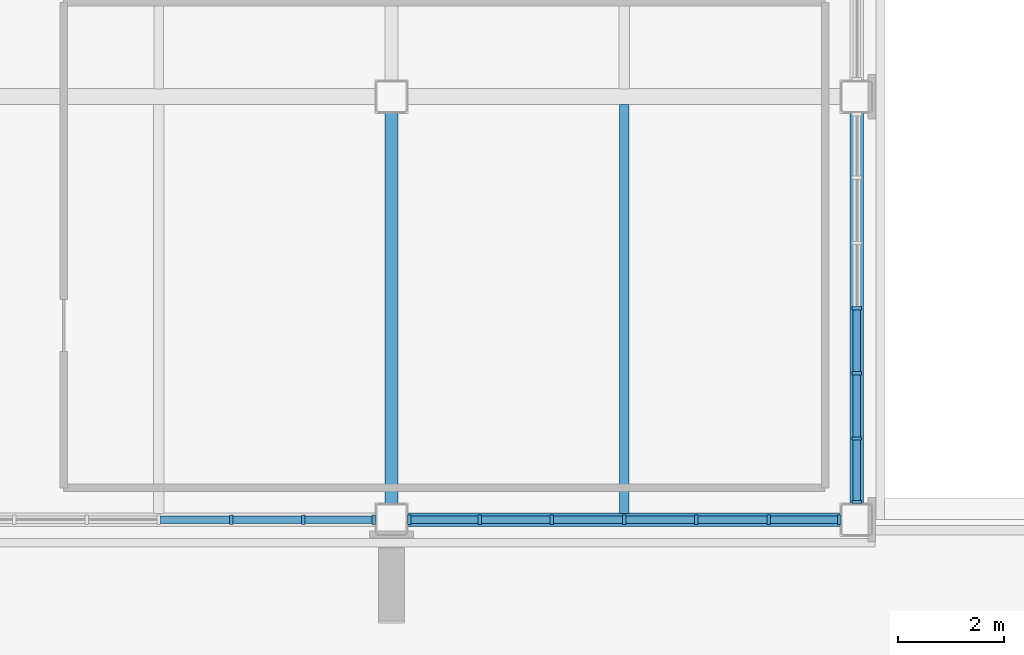
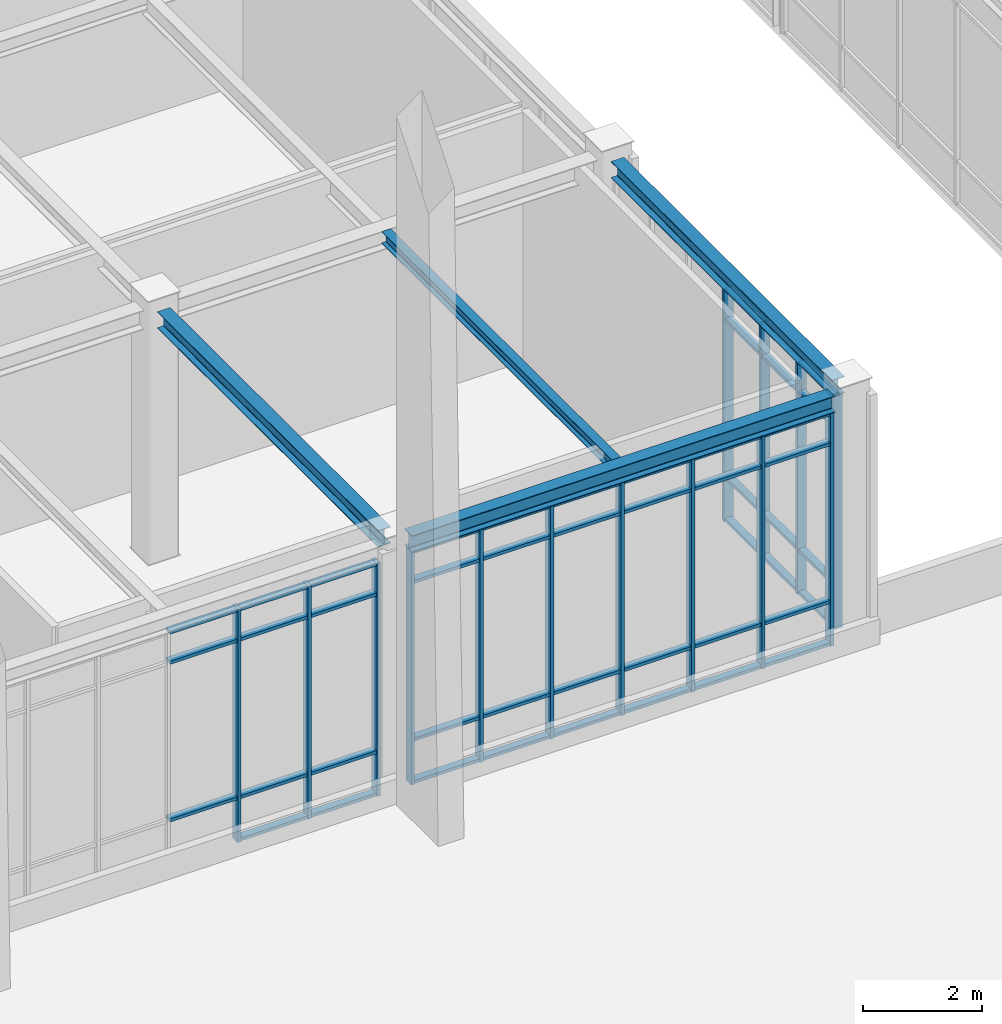
# One storey, part 24 of 108: 61 members, 4 beams, 3 elements without a shape of their own.
"""IFC4 building model written with IfcOpenShell, lengths in metres."""

from ifc_helpers import new_model, si_unit, direction, frame, origin, origin_2d, place, context, subcontext, project, spatial, rectangle, i_section, extrude, material, material_profile, profile_set, type_object, element, aggregate, save


model = new_model("IFC4")

# Units and contexts
model_context = context("Model", 3, precision=1e-05, world=origin(), true_north=direction((0.0, 1.0)))
body_context = subcontext(model_context, "Body", "Model", "MODEL_VIEW")
ifc_project = project(units=[si_unit("LENGTHUNIT", "METRE"), si_unit("AREAUNIT", "SQUARE_METRE"), si_unit("VOLUMEUNIT", "CUBIC_METRE"), si_unit("PLANEANGLEUNIT", "RADIAN"), si_unit("MASSUNIT", "GRAM", prefix="KILO")], contexts=[model_context])

# Site, building, storey
site_placement = place(None, origin())
site = spatial("IfcSite", under=ifc_project, at=site_placement, CompositionType="ELEMENT")
building_placement = place(site_placement, origin())
building = spatial("IfcBuilding", under=site, at=building_placement, Name="Zhaolan Boulevard Law Courts", CompositionType="ELEMENT")
storey_placement = place(building_placement, frame((0.0, 0.0, 10.800048828125)))
storey = spatial("IfcBuildingStorey", under=building, at=storey_placement, Name="L02", CompositionType="ELEMENT", Elevation=10.800048828125)

# Curtain wall, members
ifc_material_1 = material(Name="Thermally broken aluminium and low-E glazing", Category="aluminium")
curtain_wall_type_1 = type_object("IfcCurtainWallType", Name="CURTAIN WALL M10", PredefinedType="USERDEFINED", material=ifc_material_1)
curtain_wall_1_placement = place(storey_placement, origin())
curtain_wall_1 = element("IfcCurtainWall", 1, at=curtain_wall_1_placement, inside=storey, type_object=curtain_wall_type_1, Name="Curtain Wall CW-L02-154", ObjectType="CURTAIN WALL", PredefinedType="USERDEFINED")
ifc_material_2 = material(Name="Fluorocarbon-coated aluminium 6063-T6", Category="aluminium")
ifc_material_profile_1 = material_profile(ifc_material_2, rectangle(XDim=0.179931640625, YDim=0.06494140625, at=origin_2d()), Name="AL65x180")
ifc_profile_set_1 = profile_set([ifc_material_profile_1], Name="Fluorocarbon-coated aluminium 6063-T6")
member_type_1 = type_object("IfcMemberType", Name="CWMULLION 65X180", PredefinedType="MULLION", material=ifc_profile_set_1)
member_1_placement = place(storey_placement, frame((32.166015625, 30.0, 0.0), z_axis=(0.0, 0.0, 1.0), x_axis=(0.0, 1.0, 0.0)))
member_1 = element("IfcMember", 2, at=member_1_placement, type_object=member_type_1, Name="CW-L02-154 mullion 5", PredefinedType="MULLION", context=body_context, shape_type="SweptSolid", body=[
    extrude(rectangle(XDim=0.179931640625, YDim=0.06494140625, at=origin_2d()), origin(), (0.0, 0.0, 1.0), 4.782958984375),
])
member_2_placement = place(storey_placement, frame((33.531982421875, 30.0, 0.0), z_axis=(0.0, 0.0, 1.0), x_axis=(0.0, 1.0, 0.0)))
member_2 = element("IfcMember", 3, at=member_2_placement, type_object=member_type_1, Name="CW-L02-154 mullion 6", PredefinedType="MULLION", context=body_context, shape_type="SweptSolid", body=[
    extrude(rectangle(XDim=0.179931640625, YDim=0.06494140625, at=origin_2d()), origin(), (0.0, 0.0, 1.0), 4.782958984375),
])
member_3_placement = place(storey_placement, frame((34.865478515625, 30.0, 0.0), z_axis=(0.0, 0.0, 1.0), x_axis=(0.0, 1.0, 0.0)))
member_3 = element("IfcMember", 4, at=member_3_placement, type_object=member_type_1, Name="CW-L02-154 mullion 7", PredefinedType="MULLION", context=body_context, shape_type="SweptSolid", body=[
    extrude(rectangle(XDim=0.179931640625, YDim=0.06494140625, at=origin_2d()), origin(), (0.0, 0.0, 1.0), 4.782958984375),
])

ifc_material_3 = material(Name="Thermally broken aluminium and low-E glazing", Category="aluminium")
curtain_wall_type_2 = type_object("IfcCurtainWallType", Name="CURTAIN WALL M11", PredefinedType="USERDEFINED", material=ifc_material_3)
curtain_wall_2_placement = place(storey_placement, origin())
curtain_wall_2 = element("IfcCurtainWall", 5, at=curtain_wall_2_placement, inside=storey, type_object=curtain_wall_type_2, Name="Curtain Wall CW-L02-155", ObjectType="CURTAIN WALL", PredefinedType="USERDEFINED")
member_4_placement = place(storey_placement, frame((35.534423828125, 30.0, 0.0), z_axis=(0.0, 0.0, 1.0), x_axis=(0.0, 1.0, 0.0)))
member_4 = element("IfcMember", 6, at=member_4_placement, type_object=member_type_1, Name="CW-L02-155 mullion 1", PredefinedType="MULLION", context=body_context, shape_type="SweptSolid", body=[
    extrude(rectangle(XDim=0.179931640625, YDim=0.06494140625, at=origin_2d()), origin(), (0.0, 0.0, 1.0), 4.782958984375),
])
member_5_placement = place(storey_placement, frame((36.867919921875, 30.0, 0.0), z_axis=(0.0, 0.0, 1.0), x_axis=(0.0, 1.0, 0.0)))
member_5 = element("IfcMember", 7, at=member_5_placement, type_object=member_type_1, Name="CW-L02-155 mullion 2", PredefinedType="MULLION", context=body_context, shape_type="SweptSolid", body=[
    extrude(rectangle(XDim=0.179931640625, YDim=0.06494140625, at=origin_2d()), origin(), (0.0, 0.0, 1.0), 4.782958984375),
])
member_6_placement = place(storey_placement, frame((38.23388671875, 30.0, 0.0), z_axis=(0.0, 0.0, 1.0), x_axis=(0.0, 1.0, 0.0)))
member_6 = element("IfcMember", 8, at=member_6_placement, type_object=member_type_1, Name="CW-L02-155 mullion 3", PredefinedType="MULLION", context=body_context, shape_type="SweptSolid", body=[
    extrude(rectangle(XDim=0.179931640625, YDim=0.06494140625, at=origin_2d()), origin(), (0.0, 0.0, 1.0), 4.782958984375),
])
member_7_placement = place(storey_placement, frame((39.60009765625, 30.0, 0.0), z_axis=(0.0, 0.0, 1.0), x_axis=(0.0, 1.0, 0.0)))
member_7 = element("IfcMember", 9, at=member_7_placement, type_object=member_type_1, Name="CW-L02-155 mullion 4", PredefinedType="MULLION", context=body_context, shape_type="SweptSolid", body=[
    extrude(rectangle(XDim=0.179931640625, YDim=0.06494140625, at=origin_2d()), origin(), (0.0, 0.0, 1.0), 4.782958984375),
])
member_8_placement = place(storey_placement, frame((40.966064453125, 30.0, 0.0), z_axis=(0.0, 0.0, 1.0), x_axis=(0.0, 1.0, 0.0)))
member_8 = element("IfcMember", 10, at=member_8_placement, type_object=member_type_1, Name="CW-L02-155 mullion 5", PredefinedType="MULLION", context=body_context, shape_type="SweptSolid", body=[
    extrude(rectangle(XDim=0.179931640625, YDim=0.06494140625, at=origin_2d()), origin(), (0.0, 0.0, 1.0), 4.782958984375),
])
member_9_placement = place(storey_placement, frame((42.33203125, 30.0, 0.0), z_axis=(0.0, 0.0, 1.0), x_axis=(0.0, 1.0, 0.0)))
member_9 = element("IfcMember", 11, at=member_9_placement, type_object=member_type_1, Name="CW-L02-155 mullion 6", PredefinedType="MULLION", context=body_context, shape_type="SweptSolid", body=[
    extrude(rectangle(XDim=0.179931640625, YDim=0.06494140625, at=origin_2d()), origin(), (0.0, 0.0, 1.0), 4.782958984375),
])
member_10_placement = place(storey_placement, frame((43.66552734375, 30.0, 0.0), z_axis=(0.0, 0.0, 1.0), x_axis=(0.0, 1.0, 0.0)))
member_10 = element("IfcMember", 12, at=member_10_placement, type_object=member_type_1, Name="CW-L02-155 mullion 7", PredefinedType="MULLION", context=body_context, shape_type="SweptSolid", body=[
    extrude(rectangle(XDim=0.179931640625, YDim=0.06494140625, at=origin_2d()), origin(), (0.0, 0.0, 1.0), 4.782958984375),
])

ifc_material_4 = material(Name="Thermally broken aluminium and low-E glazing", Category="aluminium")
curtain_wall_type_3 = type_object("IfcCurtainWallType", Name="CURTAIN WALL M18", PredefinedType="USERDEFINED", material=ifc_material_4)
curtain_wall_3_placement = place(storey_placement, origin())
curtain_wall_3 = element("IfcCurtainWall", 13, at=curtain_wall_3_placement, inside=storey, type_object=curtain_wall_type_3, Name="Curtain Wall CW-L02-162", ObjectType="CURTAIN WALL", PredefinedType="USERDEFINED")
member_11_placement = place(storey_placement, frame((44.0, 30.33447265625, 0.0), z_axis=(0.0, 0.0, 1.0), x_axis=(-1.0, 0.0, 0.0)))
member_11 = element("IfcMember", 14, at=member_11_placement, type_object=member_type_1, Name="CW-L02-162 mullion 1", PredefinedType="MULLION", context=body_context, shape_type="SweptSolid", body=[
    extrude(rectangle(XDim=0.179931640625, YDim=0.06494140625, at=origin_2d()), origin(), (0.0, 0.0, 1.0), 4.782958984375),
])
member_12_placement = place(storey_placement, frame((44.0, 31.53466796875, 0.0), z_axis=(0.0, 0.0, 1.0), x_axis=(-1.0, 0.0, 0.0)))
member_12 = element("IfcMember", 15, at=member_12_placement, type_object=member_type_1, Name="CW-L02-162 mullion 2", PredefinedType="MULLION", context=body_context, shape_type="SweptSolid", body=[
    extrude(rectangle(XDim=0.179931640625, YDim=0.06494140625, at=origin_2d()), origin(), (0.0, 0.0, 1.0), 4.782958984375),
])
member_13_placement = place(storey_placement, frame((44.0, 32.767333984375, 0.0), z_axis=(0.0, 0.0, 1.0), x_axis=(-1.0, 0.0, 0.0)))
member_13 = element("IfcMember", 16, at=member_13_placement, type_object=member_type_1, Name="CW-L02-162 mullion 3", PredefinedType="MULLION", context=body_context, shape_type="SweptSolid", body=[
    extrude(rectangle(XDim=0.179931640625, YDim=0.06494140625, at=origin_2d()), origin(), (0.0, 0.0, 1.0), 4.782958984375),
])
member_14_placement = place(storey_placement, frame((44.0, 34.0, 0.0), z_axis=(0.0, 0.0, 1.0), x_axis=(-1.0, 0.0, 0.0)))
member_14 = element("IfcMember", 17, at=member_14_placement, type_object=member_type_1, Name="CW-L02-162 mullion 4", PredefinedType="MULLION", context=body_context, shape_type="SweptSolid", body=[
    extrude(rectangle(XDim=0.179931640625, YDim=0.06494140625, at=origin_2d()), origin(), (0.0, 0.0, 1.0), 4.782958984375),
])

# Member
ifc_material_5 = material(Name="Fluorocarbon-coated aluminium 6063-T6", Category="aluminium")
ifc_material_profile_2 = material_profile(ifc_material_5, rectangle(XDim=0.139892578125, YDim=0.06494140625, at=origin_2d()), Name="AL65x140")
ifc_profile_set_2 = profile_set([ifc_material_profile_2], Name="Fluorocarbon-coated aluminium 6063-T6")
member_type_2 = type_object("IfcMemberType", Name="CWTRANSOM 65X140", PredefinedType="USERDEFINED", material=ifc_profile_set_2)
member_15_placement = place(storey_placement, frame((30.83251953125, 30.0, 0.89990234375), z_axis=(1.0, 0.0, 0.0), x_axis=(0.0, 1.0, 0.0)))
member_15 = element("IfcMember", 18, at=member_15_placement, type_object=member_type_2, Name="CW-L02-154 transom 4.2", ObjectType="TRANSOM", PredefinedType="USERDEFINED", context=body_context, shape_type="SweptSolid", body=[
    extrude(rectangle(XDim=0.139892578125, YDim=0.06494140625, at=origin_2d()), origin(), (0.0, 0.0, 1.0), 1.301025390625),
])

member_16_placement = place(storey_placement, frame((30.83251953125, 30.0, 4.133056640625), z_axis=(1.0, 0.0, 0.0), x_axis=(0.0, 1.0, 0.0)))
member_16 = element("IfcMember", 19, at=member_16_placement, type_object=member_type_2, Name="CW-L02-154 transom 4.3", ObjectType="TRANSOM", PredefinedType="USERDEFINED", context=body_context, shape_type="SweptSolid", body=[
    extrude(rectangle(XDim=0.139892578125, YDim=0.06494140625, at=origin_2d()), origin(), (0.0, 0.0, 1.0), 1.301025390625),
])

member_17_placement = place(storey_placement, frame((30.83251953125, 30.0, 4.75048828125), z_axis=(1.0, 0.0, 0.0), x_axis=(0.0, 1.0, 0.0)))
member_17 = element("IfcMember", 20, at=member_17_placement, type_object=member_type_2, Name="CW-L02-154 transom 4.4", ObjectType="TRANSOM", PredefinedType="USERDEFINED", context=body_context, shape_type="SweptSolid", body=[
    extrude(rectangle(XDim=0.139892578125, YDim=0.06494140625, at=origin_2d()), origin(), (0.0, 0.0, 1.0), 1.301025390625),
])

member_18_placement = place(storey_placement, frame((32.198486328125, 30.0, 0.032470703125), z_axis=(1.0, 0.0, 0.0), x_axis=(0.0, 1.0, 0.0)))
member_18 = element("IfcMember", 21, at=member_18_placement, type_object=member_type_2, Name="CW-L02-154 transom 5.1", ObjectType="TRANSOM", PredefinedType="USERDEFINED", context=body_context, shape_type="SweptSolid", body=[
    extrude(rectangle(XDim=0.139892578125, YDim=0.06494140625, at=origin_2d()), origin(), (0.0, 0.0, 1.0), 1.301025390625),
])

member_19_placement = place(storey_placement, frame((32.198486328125, 30.0, 0.89990234375), z_axis=(1.0, 0.0, 0.0), x_axis=(0.0, 1.0, 0.0)))
member_19 = element("IfcMember", 22, at=member_19_placement, type_object=member_type_2, Name="CW-L02-154 transom 5.2", ObjectType="TRANSOM", PredefinedType="USERDEFINED", context=body_context, shape_type="SweptSolid", body=[
    extrude(rectangle(XDim=0.139892578125, YDim=0.06494140625, at=origin_2d()), origin(), (0.0, 0.0, 1.0), 1.301025390625),
])

member_20_placement = place(storey_placement, frame((32.198486328125, 30.0, 4.133056640625), z_axis=(1.0, 0.0, 0.0), x_axis=(0.0, 1.0, 0.0)))
member_20 = element("IfcMember", 23, at=member_20_placement, type_object=member_type_2, Name="CW-L02-154 transom 5.3", ObjectType="TRANSOM", PredefinedType="USERDEFINED", context=body_context, shape_type="SweptSolid", body=[
    extrude(rectangle(XDim=0.139892578125, YDim=0.06494140625, at=origin_2d()), origin(), (0.0, 0.0, 1.0), 1.301025390625),
])

member_21_placement = place(storey_placement, frame((32.198486328125, 30.0, 4.75048828125), z_axis=(1.0, 0.0, 0.0), x_axis=(0.0, 1.0, 0.0)))
member_21 = element("IfcMember", 24, at=member_21_placement, type_object=member_type_2, Name="CW-L02-154 transom 5.4", ObjectType="TRANSOM", PredefinedType="USERDEFINED", context=body_context, shape_type="SweptSolid", body=[
    extrude(rectangle(XDim=0.139892578125, YDim=0.06494140625, at=origin_2d()), origin(), (0.0, 0.0, 1.0), 1.301025390625),
])

member_22_placement = place(storey_placement, frame((33.564453125, 30.0, 0.032470703125), z_axis=(1.0, 0.0, 0.0), x_axis=(0.0, 1.0, 0.0)))
member_22 = element("IfcMember", 25, at=member_22_placement, type_object=member_type_2, Name="CW-L02-154 transom 6.1", ObjectType="TRANSOM", PredefinedType="USERDEFINED", context=body_context, shape_type="SweptSolid", body=[
    extrude(rectangle(XDim=0.139892578125, YDim=0.06494140625, at=origin_2d()), origin(), (0.0, 0.0, 1.0), 1.2685546875),
])

member_23_placement = place(storey_placement, frame((33.564453125, 30.0, 0.89990234375), z_axis=(1.0, 0.0, 0.0), x_axis=(0.0, 1.0, 0.0)))
member_23 = element("IfcMember", 26, at=member_23_placement, type_object=member_type_2, Name="CW-L02-154 transom 6.2", ObjectType="TRANSOM", PredefinedType="USERDEFINED", context=body_context, shape_type="SweptSolid", body=[
    extrude(rectangle(XDim=0.139892578125, YDim=0.06494140625, at=origin_2d()), origin(), (0.0, 0.0, 1.0), 1.2685546875),
])

member_24_placement = place(storey_placement, frame((33.564453125, 30.0, 4.133056640625), z_axis=(1.0, 0.0, 0.0), x_axis=(0.0, 1.0, 0.0)))
member_24 = element("IfcMember", 27, at=member_24_placement, type_object=member_type_2, Name="CW-L02-154 transom 6.3", ObjectType="TRANSOM", PredefinedType="USERDEFINED", context=body_context, shape_type="SweptSolid", body=[
    extrude(rectangle(XDim=0.139892578125, YDim=0.06494140625, at=origin_2d()), origin(), (0.0, 0.0, 1.0), 1.2685546875),
])

member_25_placement = place(storey_placement, frame((33.564453125, 30.0, 4.75048828125), z_axis=(1.0, 0.0, 0.0), x_axis=(0.0, 1.0, 0.0)))
member_25 = element("IfcMember", 28, at=member_25_placement, type_object=member_type_2, Name="CW-L02-154 transom 6.4", ObjectType="TRANSOM", PredefinedType="USERDEFINED", context=body_context, shape_type="SweptSolid", body=[
    extrude(rectangle(XDim=0.139892578125, YDim=0.06494140625, at=origin_2d()), origin(), (0.0, 0.0, 1.0), 1.2685546875),
])

aggregate(curtain_wall_1, [member_1, member_2, member_3, member_15, member_16, member_17, member_18, member_19, member_20, member_21, member_22, member_23, member_24, member_25])

member_26_placement = place(storey_placement, frame((35.56689453125, 30.0, 0.032470703125), z_axis=(1.0, 0.0, 0.0), x_axis=(0.0, 1.0, 0.0)))
member_26 = element("IfcMember", 29, at=member_26_placement, type_object=member_type_2, Name="CW-L02-155 transom 1.1", ObjectType="TRANSOM", PredefinedType="USERDEFINED", context=body_context, shape_type="SweptSolid", body=[
    extrude(rectangle(XDim=0.139892578125, YDim=0.06494140625, at=origin_2d()), origin(), (0.0, 0.0, 1.0), 1.2685546875),
])

member_27_placement = place(storey_placement, frame((35.56689453125, 30.0, 0.89990234375), z_axis=(1.0, 0.0, 0.0), x_axis=(0.0, 1.0, 0.0)))
member_27 = element("IfcMember", 30, at=member_27_placement, type_object=member_type_2, Name="CW-L02-155 transom 1.2", ObjectType="TRANSOM", PredefinedType="USERDEFINED", context=body_context, shape_type="SweptSolid", body=[
    extrude(rectangle(XDim=0.139892578125, YDim=0.06494140625, at=origin_2d()), origin(), (0.0, 0.0, 1.0), 1.2685546875),
])

member_28_placement = place(storey_placement, frame((35.56689453125, 30.0, 4.133056640625), z_axis=(1.0, 0.0, 0.0), x_axis=(0.0, 1.0, 0.0)))
member_28 = element("IfcMember", 31, at=member_28_placement, type_object=member_type_2, Name="CW-L02-155 transom 1.3", ObjectType="TRANSOM", PredefinedType="USERDEFINED", context=body_context, shape_type="SweptSolid", body=[
    extrude(rectangle(XDim=0.139892578125, YDim=0.06494140625, at=origin_2d()), origin(), (0.0, 0.0, 1.0), 1.2685546875),
])

member_29_placement = place(storey_placement, frame((35.56689453125, 30.0, 4.75048828125), z_axis=(1.0, 0.0, 0.0), x_axis=(0.0, 1.0, 0.0)))
member_29 = element("IfcMember", 32, at=member_29_placement, type_object=member_type_2, Name="CW-L02-155 transom 1.4", ObjectType="TRANSOM", PredefinedType="USERDEFINED", context=body_context, shape_type="SweptSolid", body=[
    extrude(rectangle(XDim=0.139892578125, YDim=0.06494140625, at=origin_2d()), origin(), (0.0, 0.0, 1.0), 1.2685546875),
])

member_30_placement = place(storey_placement, frame((36.900390625, 30.0, 0.032470703125), z_axis=(1.0, 0.0, 0.0), x_axis=(0.0, 1.0, 0.0)))
member_30 = element("IfcMember", 33, at=member_30_placement, type_object=member_type_2, Name="CW-L02-155 transom 2.1", ObjectType="TRANSOM", PredefinedType="USERDEFINED", context=body_context, shape_type="SweptSolid", body=[
    extrude(rectangle(XDim=0.139892578125, YDim=0.06494140625, at=origin_2d()), origin(), (0.0, 0.0, 1.0), 1.301025390625),
])

member_31_placement = place(storey_placement, frame((36.900390625, 30.0, 0.89990234375), z_axis=(1.0, 0.0, 0.0), x_axis=(0.0, 1.0, 0.0)))
member_31 = element("IfcMember", 34, at=member_31_placement, type_object=member_type_2, Name="CW-L02-155 transom 2.2", ObjectType="TRANSOM", PredefinedType="USERDEFINED", context=body_context, shape_type="SweptSolid", body=[
    extrude(rectangle(XDim=0.139892578125, YDim=0.06494140625, at=origin_2d()), origin(), (0.0, 0.0, 1.0), 1.301025390625),
])

member_32_placement = place(storey_placement, frame((36.900390625, 30.0, 4.133056640625), z_axis=(1.0, 0.0, 0.0), x_axis=(0.0, 1.0, 0.0)))
member_32 = element("IfcMember", 35, at=member_32_placement, type_object=member_type_2, Name="CW-L02-155 transom 2.3", ObjectType="TRANSOM", PredefinedType="USERDEFINED", context=body_context, shape_type="SweptSolid", body=[
    extrude(rectangle(XDim=0.139892578125, YDim=0.06494140625, at=origin_2d()), origin(), (0.0, 0.0, 1.0), 1.301025390625),
])

member_33_placement = place(storey_placement, frame((36.900390625, 30.0, 4.75048828125), z_axis=(1.0, 0.0, 0.0), x_axis=(0.0, 1.0, 0.0)))
member_33 = element("IfcMember", 36, at=member_33_placement, type_object=member_type_2, Name="CW-L02-155 transom 2.4", ObjectType="TRANSOM", PredefinedType="USERDEFINED", context=body_context, shape_type="SweptSolid", body=[
    extrude(rectangle(XDim=0.139892578125, YDim=0.06494140625, at=origin_2d()), origin(), (0.0, 0.0, 1.0), 1.301025390625),
])

member_34_placement = place(storey_placement, frame((38.2666015625, 30.0, 0.032470703125), z_axis=(1.0, 0.0, 0.0), x_axis=(0.0, 1.0, 0.0)))
member_34 = element("IfcMember", 37, at=member_34_placement, type_object=member_type_2, Name="CW-L02-155 transom 3.1", ObjectType="TRANSOM", PredefinedType="USERDEFINED", context=body_context, shape_type="SweptSolid", body=[
    extrude(rectangle(XDim=0.139892578125, YDim=0.06494140625, at=origin_2d()), origin(), (0.0, 0.0, 1.0), 1.30078125),
])

member_35_placement = place(storey_placement, frame((38.2666015625, 30.0, 0.89990234375), z_axis=(1.0, 0.0, 0.0), x_axis=(0.0, 1.0, 0.0)))
member_35 = element("IfcMember", 38, at=member_35_placement, type_object=member_type_2, Name="CW-L02-155 transom 3.2", ObjectType="TRANSOM", PredefinedType="USERDEFINED", context=body_context, shape_type="SweptSolid", body=[
    extrude(rectangle(XDim=0.139892578125, YDim=0.06494140625, at=origin_2d()), origin(), (0.0, 0.0, 1.0), 1.30078125),
])

member_36_placement = place(storey_placement, frame((38.2666015625, 30.0, 4.133056640625), z_axis=(1.0, 0.0, 0.0), x_axis=(0.0, 1.0, 0.0)))
member_36 = element("IfcMember", 39, at=member_36_placement, type_object=member_type_2, Name="CW-L02-155 transom 3.3", ObjectType="TRANSOM", PredefinedType="USERDEFINED", context=body_context, shape_type="SweptSolid", body=[
    extrude(rectangle(XDim=0.139892578125, YDim=0.06494140625, at=origin_2d()), origin(), (0.0, 0.0, 1.0), 1.30078125),
])

member_37_placement = place(storey_placement, frame((38.2666015625, 30.0, 4.75048828125), z_axis=(1.0, 0.0, 0.0), x_axis=(0.0, 1.0, 0.0)))
member_37 = element("IfcMember", 40, at=member_37_placement, type_object=member_type_2, Name="CW-L02-155 transom 3.4", ObjectType="TRANSOM", PredefinedType="USERDEFINED", context=body_context, shape_type="SweptSolid", body=[
    extrude(rectangle(XDim=0.139892578125, YDim=0.06494140625, at=origin_2d()), origin(), (0.0, 0.0, 1.0), 1.30078125),
])

member_38_placement = place(storey_placement, frame((39.632568359375, 30.0, 0.032470703125), z_axis=(1.0, 0.0, 0.0), x_axis=(0.0, 1.0, 0.0)))
member_38 = element("IfcMember", 41, at=member_38_placement, type_object=member_type_2, Name="CW-L02-155 transom 4.1", ObjectType="TRANSOM", PredefinedType="USERDEFINED", context=body_context, shape_type="SweptSolid", body=[
    extrude(rectangle(XDim=0.139892578125, YDim=0.06494140625, at=origin_2d()), origin(), (0.0, 0.0, 1.0), 1.301025390625),
])

member_39_placement = place(storey_placement, frame((39.632568359375, 30.0, 0.89990234375), z_axis=(1.0, 0.0, 0.0), x_axis=(0.0, 1.0, 0.0)))
member_39 = element("IfcMember", 42, at=member_39_placement, type_object=member_type_2, Name="CW-L02-155 transom 4.2", ObjectType="TRANSOM", PredefinedType="USERDEFINED", context=body_context, shape_type="SweptSolid", body=[
    extrude(rectangle(XDim=0.139892578125, YDim=0.06494140625, at=origin_2d()), origin(), (0.0, 0.0, 1.0), 1.301025390625),
])

member_40_placement = place(storey_placement, frame((39.632568359375, 30.0, 4.133056640625), z_axis=(1.0, 0.0, 0.0), x_axis=(0.0, 1.0, 0.0)))
member_40 = element("IfcMember", 43, at=member_40_placement, type_object=member_type_2, Name="CW-L02-155 transom 4.3", ObjectType="TRANSOM", PredefinedType="USERDEFINED", context=body_context, shape_type="SweptSolid", body=[
    extrude(rectangle(XDim=0.139892578125, YDim=0.06494140625, at=origin_2d()), origin(), (0.0, 0.0, 1.0), 1.301025390625),
])

member_41_placement = place(storey_placement, frame((39.632568359375, 30.0, 4.75048828125), z_axis=(1.0, 0.0, 0.0), x_axis=(0.0, 1.0, 0.0)))
member_41 = element("IfcMember", 44, at=member_41_placement, type_object=member_type_2, Name="CW-L02-155 transom 4.4", ObjectType="TRANSOM", PredefinedType="USERDEFINED", context=body_context, shape_type="SweptSolid", body=[
    extrude(rectangle(XDim=0.139892578125, YDim=0.06494140625, at=origin_2d()), origin(), (0.0, 0.0, 1.0), 1.301025390625),
])

member_42_placement = place(storey_placement, frame((40.99853515625, 30.0, 0.032470703125), z_axis=(1.0, 0.0, 0.0), x_axis=(0.0, 1.0, 0.0)))
member_42 = element("IfcMember", 45, at=member_42_placement, type_object=member_type_2, Name="CW-L02-155 transom 5.1", ObjectType="TRANSOM", PredefinedType="USERDEFINED", context=body_context, shape_type="SweptSolid", body=[
    extrude(rectangle(XDim=0.139892578125, YDim=0.06494140625, at=origin_2d()), origin(), (0.0, 0.0, 1.0), 1.301025390625),
])

member_43_placement = place(storey_placement, frame((40.99853515625, 30.0, 0.89990234375), z_axis=(1.0, 0.0, 0.0), x_axis=(0.0, 1.0, 0.0)))
member_43 = element("IfcMember", 46, at=member_43_placement, type_object=member_type_2, Name="CW-L02-155 transom 5.2", ObjectType="TRANSOM", PredefinedType="USERDEFINED", context=body_context, shape_type="SweptSolid", body=[
    extrude(rectangle(XDim=0.139892578125, YDim=0.06494140625, at=origin_2d()), origin(), (0.0, 0.0, 1.0), 1.301025390625),
])

member_44_placement = place(storey_placement, frame((40.99853515625, 30.0, 4.133056640625), z_axis=(1.0, 0.0, 0.0), x_axis=(0.0, 1.0, 0.0)))
member_44 = element("IfcMember", 47, at=member_44_placement, type_object=member_type_2, Name="CW-L02-155 transom 5.3", ObjectType="TRANSOM", PredefinedType="USERDEFINED", context=body_context, shape_type="SweptSolid", body=[
    extrude(rectangle(XDim=0.139892578125, YDim=0.06494140625, at=origin_2d()), origin(), (0.0, 0.0, 1.0), 1.301025390625),
])

member_45_placement = place(storey_placement, frame((40.99853515625, 30.0, 4.75048828125), z_axis=(1.0, 0.0, 0.0), x_axis=(0.0, 1.0, 0.0)))
member_45 = element("IfcMember", 48, at=member_45_placement, type_object=member_type_2, Name="CW-L02-155 transom 5.4", ObjectType="TRANSOM", PredefinedType="USERDEFINED", context=body_context, shape_type="SweptSolid", body=[
    extrude(rectangle(XDim=0.139892578125, YDim=0.06494140625, at=origin_2d()), origin(), (0.0, 0.0, 1.0), 1.301025390625),
])

member_46_placement = place(storey_placement, frame((42.364501953125, 30.0, 0.032470703125), z_axis=(1.0, 0.0, 0.0), x_axis=(0.0, 1.0, 0.0)))
member_46 = element("IfcMember", 49, at=member_46_placement, type_object=member_type_2, Name="CW-L02-155 transom 6.1", ObjectType="TRANSOM", PredefinedType="USERDEFINED", context=body_context, shape_type="SweptSolid", body=[
    extrude(rectangle(XDim=0.139892578125, YDim=0.06494140625, at=origin_2d()), origin(), (0.0, 0.0, 1.0), 1.2685546875),
])

member_47_placement = place(storey_placement, frame((42.364501953125, 30.0, 0.89990234375), z_axis=(1.0, 0.0, 0.0), x_axis=(0.0, 1.0, 0.0)))
member_47 = element("IfcMember", 50, at=member_47_placement, type_object=member_type_2, Name="CW-L02-155 transom 6.2", ObjectType="TRANSOM", PredefinedType="USERDEFINED", context=body_context, shape_type="SweptSolid", body=[
    extrude(rectangle(XDim=0.139892578125, YDim=0.06494140625, at=origin_2d()), origin(), (0.0, 0.0, 1.0), 1.2685546875),
])

member_48_placement = place(storey_placement, frame((42.364501953125, 30.0, 4.133056640625), z_axis=(1.0, 0.0, 0.0), x_axis=(0.0, 1.0, 0.0)))
member_48 = element("IfcMember", 51, at=member_48_placement, type_object=member_type_2, Name="CW-L02-155 transom 6.3", ObjectType="TRANSOM", PredefinedType="USERDEFINED", context=body_context, shape_type="SweptSolid", body=[
    extrude(rectangle(XDim=0.139892578125, YDim=0.06494140625, at=origin_2d()), origin(), (0.0, 0.0, 1.0), 1.2685546875),
])

member_49_placement = place(storey_placement, frame((42.364501953125, 30.0, 4.75048828125), z_axis=(1.0, 0.0, 0.0), x_axis=(0.0, 1.0, 0.0)))
member_49 = element("IfcMember", 52, at=member_49_placement, type_object=member_type_2, Name="CW-L02-155 transom 6.4", ObjectType="TRANSOM", PredefinedType="USERDEFINED", context=body_context, shape_type="SweptSolid", body=[
    extrude(rectangle(XDim=0.139892578125, YDim=0.06494140625, at=origin_2d()), origin(), (0.0, 0.0, 1.0), 1.2685546875),
])

aggregate(curtain_wall_2, [member_4, member_5, member_6, member_7, member_8, member_9, member_10, member_26, member_27, member_28, member_29, member_30, member_31, member_32, member_33, member_34, member_35, member_36, member_37, member_38, member_39, member_40, member_41, member_42, member_43, member_44, member_45, member_46, member_47, member_48, member_49])

member_50_placement = place(storey_placement, frame((44.0, 30.366943359375, 0.032470703125), z_axis=(0.0, 1.0, 0.0), x_axis=(-1.0, 0.0, 0.0)))
member_50 = element("IfcMember", 53, at=member_50_placement, type_object=member_type_2, Name="CW-L02-162 transom 1.1", ObjectType="TRANSOM", PredefinedType="USERDEFINED", context=body_context, shape_type="SweptSolid", body=[
    extrude(rectangle(XDim=0.139892578125, YDim=0.06494140625, at=origin_2d()), origin(), (0.0, 0.0, 1.0), 1.13525390625),
])

member_51_placement = place(storey_placement, frame((44.0, 30.366943359375, 0.89990234375), z_axis=(0.0, 1.0, 0.0), x_axis=(-1.0, 0.0, 0.0)))
member_51 = element("IfcMember", 54, at=member_51_placement, type_object=member_type_2, Name="CW-L02-162 transom 1.2", ObjectType="TRANSOM", PredefinedType="USERDEFINED", context=body_context, shape_type="SweptSolid", body=[
    extrude(rectangle(XDim=0.139892578125, YDim=0.06494140625, at=origin_2d()), origin(), (0.0, 0.0, 1.0), 1.13525390625),
])

member_52_placement = place(storey_placement, frame((44.0, 30.366943359375, 4.133056640625), z_axis=(0.0, 1.0, 0.0), x_axis=(-1.0, 0.0, 0.0)))
member_52 = element("IfcMember", 55, at=member_52_placement, type_object=member_type_2, Name="CW-L02-162 transom 1.3", ObjectType="TRANSOM", PredefinedType="USERDEFINED", context=body_context, shape_type="SweptSolid", body=[
    extrude(rectangle(XDim=0.139892578125, YDim=0.06494140625, at=origin_2d()), origin(), (0.0, 0.0, 1.0), 1.13525390625),
])

member_53_placement = place(storey_placement, frame((44.0, 30.366943359375, 4.75048828125), z_axis=(0.0, 1.0, 0.0), x_axis=(-1.0, 0.0, 0.0)))
member_53 = element("IfcMember", 56, at=member_53_placement, type_object=member_type_2, Name="CW-L02-162 transom 1.4", ObjectType="TRANSOM", PredefinedType="USERDEFINED", context=body_context, shape_type="SweptSolid", body=[
    extrude(rectangle(XDim=0.139892578125, YDim=0.06494140625, at=origin_2d()), origin(), (0.0, 0.0, 1.0), 1.13525390625),
])

member_54_placement = place(storey_placement, frame((44.0, 31.567138671875, 0.032470703125), z_axis=(0.0, 1.0, 0.0), x_axis=(-1.0, 0.0, 0.0)))
member_54 = element("IfcMember", 57, at=member_54_placement, type_object=member_type_2, Name="CW-L02-162 transom 2.1", ObjectType="TRANSOM", PredefinedType="USERDEFINED", context=body_context, shape_type="SweptSolid", body=[
    extrude(rectangle(XDim=0.139892578125, YDim=0.06494140625, at=origin_2d()), origin(), (0.0, 0.0, 1.0), 1.167724609375),
])

member_55_placement = place(storey_placement, frame((44.0, 31.567138671875, 0.89990234375), z_axis=(0.0, 1.0, 0.0), x_axis=(-1.0, 0.0, 0.0)))
member_55 = element("IfcMember", 58, at=member_55_placement, type_object=member_type_2, Name="CW-L02-162 transom 2.2", ObjectType="TRANSOM", PredefinedType="USERDEFINED", context=body_context, shape_type="SweptSolid", body=[
    extrude(rectangle(XDim=0.139892578125, YDim=0.06494140625, at=origin_2d()), origin(), (0.0, 0.0, 1.0), 1.167724609375),
])

member_56_placement = place(storey_placement, frame((44.0, 31.567138671875, 4.133056640625), z_axis=(0.0, 1.0, 0.0), x_axis=(-1.0, 0.0, 0.0)))
member_56 = element("IfcMember", 59, at=member_56_placement, type_object=member_type_2, Name="CW-L02-162 transom 2.3", ObjectType="TRANSOM", PredefinedType="USERDEFINED", context=body_context, shape_type="SweptSolid", body=[
    extrude(rectangle(XDim=0.139892578125, YDim=0.06494140625, at=origin_2d()), origin(), (0.0, 0.0, 1.0), 1.167724609375),
])

member_57_placement = place(storey_placement, frame((44.0, 31.567138671875, 4.75048828125), z_axis=(0.0, 1.0, 0.0), x_axis=(-1.0, 0.0, 0.0)))
member_57 = element("IfcMember", 60, at=member_57_placement, type_object=member_type_2, Name="CW-L02-162 transom 2.4", ObjectType="TRANSOM", PredefinedType="USERDEFINED", context=body_context, shape_type="SweptSolid", body=[
    extrude(rectangle(XDim=0.139892578125, YDim=0.06494140625, at=origin_2d()), origin(), (0.0, 0.0, 1.0), 1.167724609375),
])

member_58_placement = place(storey_placement, frame((44.0, 32.7998046875, 0.032470703125), z_axis=(0.0, 1.0, 0.0), x_axis=(-1.0, 0.0, 0.0)))
member_58 = element("IfcMember", 61, at=member_58_placement, type_object=member_type_2, Name="CW-L02-162 transom 3.1", ObjectType="TRANSOM", PredefinedType="USERDEFINED", context=body_context, shape_type="SweptSolid", body=[
    extrude(rectangle(XDim=0.139892578125, YDim=0.06494140625, at=origin_2d()), origin(), (0.0, 0.0, 1.0), 1.167724609375),
])

member_59_placement = place(storey_placement, frame((44.0, 32.7998046875, 0.89990234375), z_axis=(0.0, 1.0, 0.0), x_axis=(-1.0, 0.0, 0.0)))
member_59 = element("IfcMember", 62, at=member_59_placement, type_object=member_type_2, Name="CW-L02-162 transom 3.2", ObjectType="TRANSOM", PredefinedType="USERDEFINED", context=body_context, shape_type="SweptSolid", body=[
    extrude(rectangle(XDim=0.139892578125, YDim=0.06494140625, at=origin_2d()), origin(), (0.0, 0.0, 1.0), 1.167724609375),
])

member_60_placement = place(storey_placement, frame((44.0, 32.7998046875, 4.133056640625), z_axis=(0.0, 1.0, 0.0), x_axis=(-1.0, 0.0, 0.0)))
member_60 = element("IfcMember", 63, at=member_60_placement, type_object=member_type_2, Name="CW-L02-162 transom 3.3", ObjectType="TRANSOM", PredefinedType="USERDEFINED", context=body_context, shape_type="SweptSolid", body=[
    extrude(rectangle(XDim=0.139892578125, YDim=0.06494140625, at=origin_2d()), origin(), (0.0, 0.0, 1.0), 1.167724609375),
])

member_61_placement = place(storey_placement, frame((44.0, 32.7998046875, 4.75048828125), z_axis=(0.0, 1.0, 0.0), x_axis=(-1.0, 0.0, 0.0)))
member_61 = element("IfcMember", 64, at=member_61_placement, type_object=member_type_2, Name="CW-L02-162 transom 3.4", ObjectType="TRANSOM", PredefinedType="USERDEFINED", context=body_context, shape_type="SweptSolid", body=[
    extrude(rectangle(XDim=0.139892578125, YDim=0.06494140625, at=origin_2d()), origin(), (0.0, 0.0, 1.0), 1.167724609375),
])

aggregate(curtain_wall_3, [member_11, member_12, member_13, member_14, member_50, member_51, member_52, member_53, member_54, member_55, member_56, member_57, member_58, member_59, member_60, member_61])

# Beams
ifc_material_6 = material(Name="Structural steel Q355B", Category="steel")
ifc_material_profile_3 = material_profile(ifc_material_6, i_section(OverallWidth=0.25, OverallDepth=0.340087890625, WebThickness=0.009033203125, FlangeThickness=0.013916015625, FilletRadius=0.01611328125, at=origin_2d()), Name="HM340x250")
ifc_profile_set_3 = profile_set([ifc_material_profile_3], Name="Structural steel Q355B")
beam_type_1 = type_object("IfcBeamType", Name="GIRDER HM340", PredefinedType="BEAM", material=ifc_profile_set_3)
for number, where, z_axis, x_axis, name in (
    (65, (35.199951171875, 30.2958984375, 4.968017578125), (0.0, 1.0, 0.0), (-1.0, 0.0, 0.0), "Beam BY-L03-5-E-F"),
    (66, (44.0, 30.2958984375, 4.968017578125), (0.0, 1.0, 0.0), (-1.0, 0.0, 0.0), "Beam BY-L03-6-E-F"),
):
    element("IfcBeam", number, at=place(storey_placement, frame(where, z_axis=z_axis, x_axis=x_axis)), inside=storey, type_object=beam_type_1, Name=name, PredefinedType="BEAM", context=body_context, shape_type="SweptSolid", body=[
        extrude(i_section(OverallWidth=0.25, OverallDepth=0.340087890625, WebThickness=0.009033203125, FlangeThickness=0.013916015625, FilletRadius=0.01611328125, at=origin_2d()), origin(), (0.0, 0.0, 1.0), 7.408203125),
    ])
ifc_material_7 = material(Name="Structural steel Q355B", Category="steel")
ifc_material_profile_4 = material_profile(ifc_material_7, i_section(OverallWidth=0.175048828125, OverallDepth=0.243896484375, WebThickness=0.007080078125, FlangeThickness=0.010986328125, FilletRadius=0.012939453125, at=origin_2d()), Name="HM244x175")
ifc_profile_set_4 = profile_set([ifc_material_profile_4], Name="Structural steel Q355B")
beam_type_2 = type_object("IfcBeamType", Name="JOIST HM244", PredefinedType="JOIST", material=ifc_profile_set_4)
beam_1_placement = place(storey_placement, frame((39.60009765625, 30.12109375, 5.015869140625), z_axis=(0.0, 1.0, 0.0), x_axis=(-1.0, 0.0, 0.0)))
element("IfcBeam", 67, at=beam_1_placement, inside=storey, type_object=beam_type_2, Name="Composite Joist J-L03-5E", PredefinedType="JOIST", context=body_context, shape_type="SweptSolid", body=[
    extrude(i_section(OverallWidth=0.175048828125, OverallDepth=0.243896484375, WebThickness=0.007080078125, FlangeThickness=0.010986328125, FilletRadius=0.012939453125, at=origin_2d()), origin(), (0.0, 0.0, 1.0), 7.73291015625),
])
ifc_material_8 = material(Name="Structural steel Q355B", Category="steel")
ifc_material_profile_5 = material_profile(ifc_material_8, i_section(OverallWidth=0.25, OverallDepth=0.340087890625, WebThickness=0.009033203125, FlangeThickness=0.013916015625, FilletRadius=0.01611328125, at=origin_2d()), Name="HM340x250")
ifc_profile_set_5 = profile_set([ifc_material_profile_5], Name="Structural steel Q355B")
beam_type_3 = type_object("IfcBeamType", Name="SPANDREL HM340", PredefinedType="SPANDREL", material=ifc_profile_set_5)
beam_2_placement = place(storey_placement, frame((35.49609375, 30.0, 4.968017578125), z_axis=(1.0, 0.0, 0.0), x_axis=(0.0, 1.0, 0.0)))
element("IfcBeam", 68, at=beam_2_placement, inside=storey, type_object=beam_type_3, Name="Beam BX-L03-5-6-E", PredefinedType="SPANDREL", context=body_context, shape_type="SweptSolid", body=[
    extrude(i_section(OverallWidth=0.25, OverallDepth=0.340087890625, WebThickness=0.009033203125, FlangeThickness=0.013916015625, FilletRadius=0.01611328125, at=origin_2d()), origin(), (0.0, 0.0, 1.0), 8.2080078125),
])

save(model, "model.ifc")
